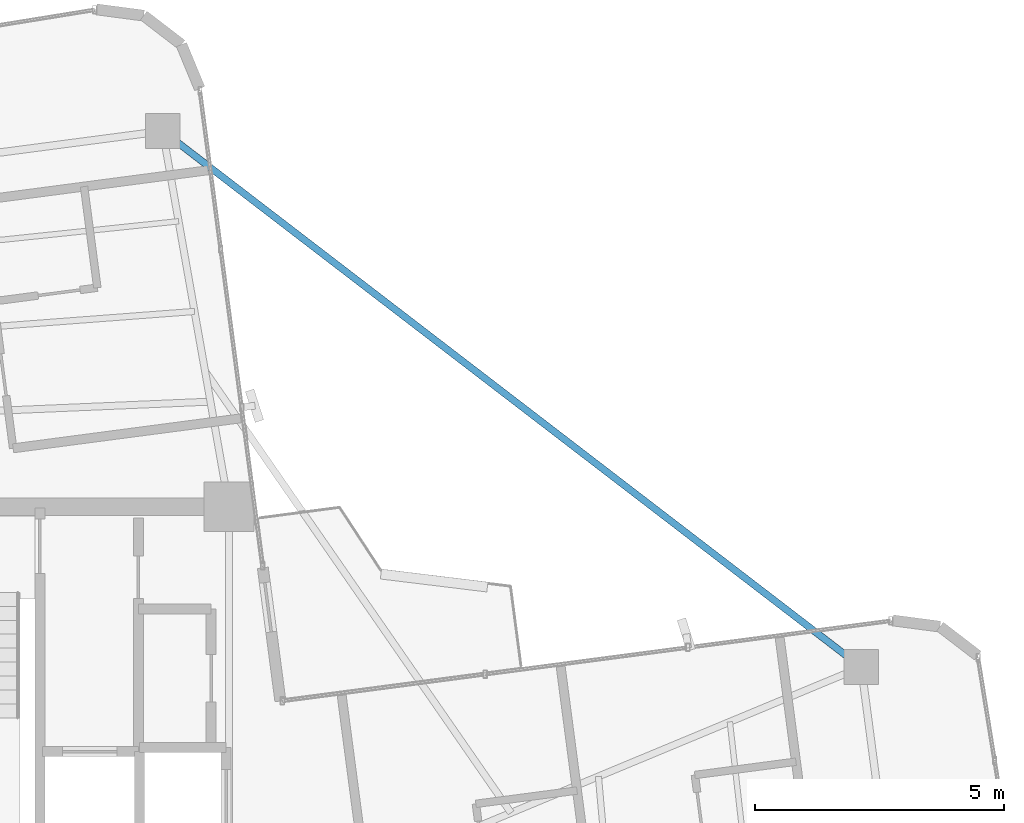
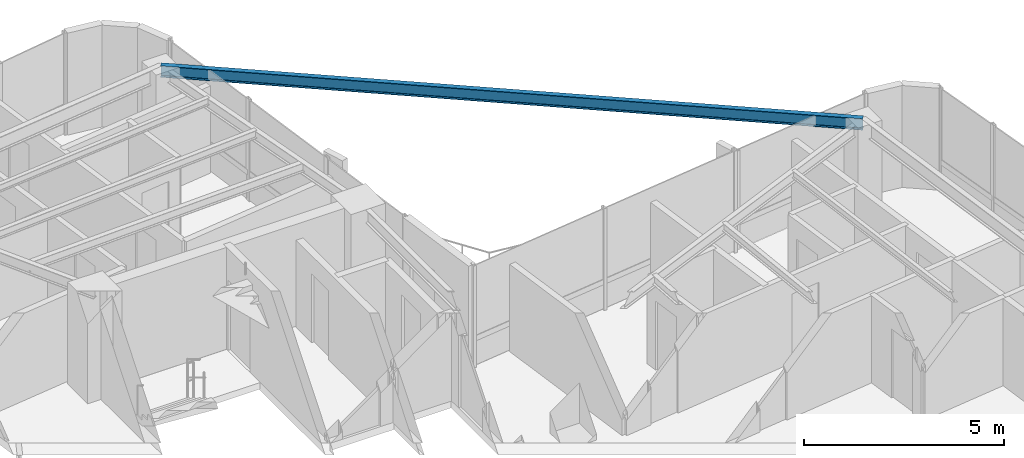
# One storey, part 15 of 22: 1 beam.
"""IFC4 building model written with IfcOpenShell, lengths in metres."""

import ifcopenshell
import ifcopenshell.guid

model = None  # the IFC model being written
_history = None  # IfcOwnerHistory: only IFC2X3 demands one
_inside = {}  # id of a spatial element -> (the spatial element, [elements in it])
_under = {}  # id of a project, library or spatial element -> (it, [spatial elements below it])
_declared = {}  # id of a project -> (the project, [libraries it declares])
_typed = {}  # id of a type object -> (the type object, [elements of that type])
_made_of = {}  # id of a material, layer set ... -> (it, [elements and type objects made of it])


def new_model(schema):
    """Start an empty IFC model of exactly this schema.

    Asked for "IFC4X3", IfcOpenShell would pick the latest addendum, in which some entities
    have other attributes; the version numbers below select the first issue.
    IFC2X3 requires an IfcOwnerHistory on every rooted entity: one is made here for all.
    """
    global model, _history
    if schema == "IFC4X3":
        model = ifcopenshell.file(schema_version=(4, 3, 0, 0))
    else:
        model = ifcopenshell.file(schema=schema)
    _inside.clear()
    _under.clear()
    _declared.clear()
    _typed.clear()
    _made_of.clear()
    _history = None
    if model.schema == "IFC2X3":
        org = make("IfcOrganization", Name="unknown")
        user = make(
            "IfcPersonAndOrganization",
            ThePerson=make("IfcPerson", FamilyName="unknown"),
            TheOrganization=org,
        )
        app = make(
            "IfcApplication",
            ApplicationDeveloper=org,
            Version="unknown",
            ApplicationFullName="unknown",
            ApplicationIdentifier="unknown",
        )
        _history = make(
            "IfcOwnerHistory",
            OwningUser=user,
            OwningApplication=app,
            ChangeAction="ADDED",
            CreationDate=0,
        )
    return model


def make(cls, **values):
    """One entity of the class cls with the attributes given. An attribute that is None is left unset."""
    return model.create_entity(
        cls, **{name: value for name, value in values.items() if value is not None}
    )


def rooted(cls, **values):
    """An entity with a GlobalId (a new one), such as an element, a storey or a relation."""
    return make(cls, GlobalId=ifcopenshell.guid.new(), OwnerHistory=_history, **values)


def si_unit(unit_type, name, prefix=None):
    """IfcSIUnit, for example si_unit("LENGTHUNIT", "METRE", prefix="MILLI")."""
    return make("IfcSIUnit", UnitType=unit_type, Prefix=prefix, Name=name)


def assignment(units):
    """IfcUnitAssignment: the units of a project."""
    return None if units is None else make("IfcUnitAssignment", Units=units)


def point(xyz):
    """IfcCartesianPoint."""
    return None if xyz is None else make("IfcCartesianPoint", Coordinates=xyz)


def direction(xyz):
    """IfcDirection."""
    return None if xyz is None else make("IfcDirection", DirectionRatios=xyz)


def frame(location, z_axis=None, x_axis=None):
    """IfcAxis2Placement3D, a coordinate frame: its origin and axes. An axis left out is left unset."""
    return make(
        "IfcAxis2Placement3D",
        Location=point(location),
        Axis=direction(z_axis),
        RefDirection=direction(x_axis),
    )


def frame_2d(location, x_axis=None):
    """IfcAxis2Placement2D, a coordinate frame in the plane: its origin and x axis."""
    return make(
        "IfcAxis2Placement2D", Location=point(location), RefDirection=direction(x_axis)
    )


def origin():
    """The frame at (0, 0, 0) with its axes left unset."""
    return frame((0.0, 0.0, 0.0))


def origin_2d():
    """The frame at (0, 0) in the plane with its x axis left unset."""
    return frame_2d((0.0, 0.0))


def place(relative_to, where):
    """IfcLocalPlacement: puts the frame where relative to a parent placement (None: the world)."""
    return make(
        "IfcLocalPlacement", PlacementRelTo=relative_to, RelativePlacement=where
    )


def context(
    kind, dimensions, precision=None, world=None, true_north=None, identifier=None
):
    """IfcGeometricRepresentationContext, for example the 3D "Model" context."""
    return make(
        "IfcGeometricRepresentationContext",
        ContextIdentifier=identifier,
        ContextType=kind,
        CoordinateSpaceDimension=dimensions,
        Precision=precision,
        WorldCoordinateSystem=world,
        TrueNorth=true_north,
    )


def subcontext(parent, identifier, kind, view, scale=None):
    """IfcGeometricRepresentationSubContext, for example "Body" below "Model"."""
    return make(
        "IfcGeometricRepresentationSubContext",
        ContextIdentifier=identifier,
        ContextType=kind,
        ParentContext=parent,
        TargetScale=scale,
        TargetView=view,
    )


def project(units=None, contexts=None):
    """IfcProject with its units and contexts."""
    return rooted(
        "IfcProject",
        Name="project",
        RepresentationContexts=contexts,
        UnitsInContext=assignment(units),
    )


def spatial(cls, under=None, at=None, **own):
    """A site, building, storey or space (cls), placed at a placement, below another one or the project."""
    s = rooted(cls, ObjectPlacement=at, **own)
    if under is not None:
        _under.setdefault(under.id(), (under, []))[1].append(s)
    return s


def profile(cls, at=None, kind="AREA", **sizes):
    """A parametric profile (cls). Its sizes go by their IFC names, for example OverallWidth=200.0."""
    return make(cls, ProfileType=kind, Position=at, **sizes)


def i_section(**sizes):
    """IfcIShapeProfileDef."""
    return profile("IfcIShapeProfileDef", **sizes)


def extrude(swept, where, along, depth):
    """IfcExtrudedAreaSolid: the profile swept, set in the frame where, extruded along a direction by depth."""
    return make(
        "IfcExtrudedAreaSolid",
        SweptArea=swept,
        Position=where,
        ExtrudedDirection=direction(along),
        Depth=depth,
    )


def shape(context_of_items, identifier, shape_type, items):
    """IfcShapeRepresentation: the items that make up one representation, for example the "Body"."""
    return make(
        "IfcShapeRepresentation",
        ContextOfItems=context_of_items,
        RepresentationIdentifier=identifier,
        RepresentationType=shape_type,
        Items=items,
    )


def source(mapping_origin, context_of_items, identifier, shape_type, items):
    """IfcRepresentationMap: a shape defined once, which mapped items show again and again."""
    return make(
        "IfcRepresentationMap",
        MappingOrigin=mapping_origin,
        MappedRepresentation=shape(context_of_items, identifier, shape_type, items),
    )


def transform(
    local_origin,
    x_axis=None,
    y_axis=None,
    z_axis=None,
    scale=None,
    scale2=None,
    scale3=None,
    uniform=True,
):
    """IfcCartesianTransformationOperator3D, or its non-uniform kind. x_axis, y_axis, z_axis: its Axis1, 2, 3."""
    if uniform:
        return make(
            "IfcCartesianTransformationOperator3D",
            Axis1=direction(x_axis),
            Axis2=direction(y_axis),
            LocalOrigin=point(local_origin),
            Scale=scale,
            Axis3=direction(z_axis),
        )
    return make(
        "IfcCartesianTransformationOperator3DnonUniform",
        Axis1=direction(x_axis),
        Axis2=direction(y_axis),
        LocalOrigin=point(local_origin),
        Scale=scale,
        Axis3=direction(z_axis),
        Scale2=scale2,
        Scale3=scale3,
    )


def mapped(mapping_source, mapping_target):
    """IfcMappedItem: shows the shape of a source again, moved by a transform."""
    return make(
        "IfcMappedItem", MappingSource=mapping_source, MappingTarget=mapping_target
    )


def material(Name=None, Category=None):
    """IfcMaterial."""
    return make("IfcMaterial", Name=Name, Category=Category)


def material_profile(
    of_material, cross_section, Name=None, Category=None, Priority=None
):
    """IfcMaterialProfile: a cross section and its material."""
    return make(
        "IfcMaterialProfile",
        Name=Name,
        Material=of_material,
        Profile=cross_section,
        Priority=Priority,
        Category=Category,
    )


def profile_set(profiles, Name=None, composite=None):
    """IfcMaterialProfileSet."""
    return make(
        "IfcMaterialProfileSet",
        Name=Name,
        MaterialProfiles=profiles,
        CompositeProfile=composite,
    )


def made_of(thing, what):
    """Note that an element or type object is made of a material, layer set ...; save() writes the relation."""
    if what is not None:
        _made_of.setdefault(what.id(), (what, []))[1].append(thing)
    return thing


def type_object(cls, material=None, **own):
    """A type object (cls), such as IfcWallType, which elements share."""
    return made_of(rooted(cls, **own), material)


def element(
    cls,
    number,
    at=None,
    inside=None,
    cuts=None,
    type_object=None,
    material=None,
    context=None,
    identifier="Body",
    shape_type=None,
    held_by="IfcProductDefinitionShape",
    body=None,
    shapes=None,
    **own,
):
    """One element of the class cls, such as IfcWall. Its Tag is "e" and its number.

    at: its placement. inside: the storey or other place that contains it. cuts: it is an
    opening in that element (IfcRelVoidsElement). A single representation is given by context,
    identifier, shape_type and body (its items); several are given by shapes. held_by: the class
    of the entity that holds the representations. save() writes the other relations.
    """
    e = rooted(cls, Tag="e%d" % number, ObjectPlacement=at, **own)
    if body is not None:
        shapes = [shape(context, identifier, shape_type, body)]
    if shapes is not None:
        e.Representation = make(held_by, Representations=shapes)
    if inside is not None:
        _inside.setdefault(inside.id(), (inside, []))[1].append(e)
    if cuts is not None:
        rooted(
            "IfcRelVoidsElement", RelatingBuildingElement=cuts, RelatedOpeningElement=e
        )
    if type_object is not None:
        _typed.setdefault(type_object.id(), (type_object, []))[1].append(e)
    return made_of(e, material)


def aggregate(whole, parts):
    """IfcRelAggregates: a whole, such as a stair, and the parts it consists of."""
    return rooted("IfcRelAggregates", RelatingObject=whole, RelatedObjects=parts)


def save(model, path):
    """Write the relations noted so far, then the file.

    IfcRelAggregates (storeys below a building ...), IfcRelContainedInSpatialStructure (elements
    in a storey), IfcRelDefinesByType, IfcRelAssociatesMaterial and IfcRelDeclares: one each for
    every whole, place, type object, material and project.
    """
    for whole, parts in _under.values():
        aggregate(whole, parts)
    for where, things in _inside.values():
        rooted(
            "IfcRelContainedInSpatialStructure",
            RelatedElements=things,
            RelatingStructure=where,
        )
    for kind, things in _typed.values():
        rooted("IfcRelDefinesByType", RelatedObjects=things, RelatingType=kind)
    for what, things in _made_of.values():
        rooted("IfcRelAssociatesMaterial", RelatedObjects=things, RelatingMaterial=what)
    for by, libraries in _declared.values():
        rooted("IfcRelDeclares", RelatingContext=by, RelatedDefinitions=libraries)
    model.write(path)


model = new_model("IFC4")

# Units and contexts
model_context = context("Model", 3, precision=1e-05, world=origin(), true_north=direction((0.0, 1.0)))
body_context = subcontext(model_context, "Body", "Model", "MODEL_VIEW")
ifc_project = project(units=[si_unit("LENGTHUNIT", "METRE"), si_unit("AREAUNIT", "SQUARE_METRE"), si_unit("VOLUMEUNIT", "CUBIC_METRE"), si_unit("PLANEANGLEUNIT", "RADIAN"), si_unit("MASSUNIT", "GRAM", prefix="KILO")], contexts=[model_context])

# Site, building, storey
site_placement = place(None, origin())
site = spatial("IfcSite", under=ifc_project, at=site_placement, CompositionType="ELEMENT")
building_placement = place(site_placement, origin())
building = spatial("IfcBuilding", under=site, at=building_placement, Name="Sahyath Konkavel Grand Hotel", CompositionType="ELEMENT")
storey_placement = place(building_placement, frame((0.0, 0.0, 247.85009765625)))
storey = spatial("IfcBuildingStorey", under=building, at=storey_placement, Name="L69", CompositionType="ELEMENT", Elevation=247.85009765625)

# Beam
ifc_material = material(Name="Steel E350", Category="steel")
ifc_material_profile = material_profile(ifc_material, i_section(OverallWidth=0.139892578125, OverallDepth=0.35009765625, WebThickness=0.008056640625, FlangeThickness=0.01416015625, FilletRadius=0.013916015625, at=origin_2d()), Name="ISMB 350")
ifc_profile_set = profile_set([ifc_material_profile], Name="Steel E350")
beam_type = type_object("IfcBeamType", Name="BM-ISMB350", PredefinedType="BEAM", material=ifc_profile_set)
shared_shape = source(origin(), body_context, "Body", "SweptSolid", [
    extrude(i_section(OverallWidth=0.139892578125, OverallDepth=0.35009765625, WebThickness=0.008056640625, FlangeThickness=0.01416015625, FilletRadius=0.013916015625, at=origin_2d()), origin(), (0.0, 0.0, 1.0), 17.70166015625),
])
beam_placement = place(storey_placement, frame((16.510498046875, 6.977783203125, 2.934814453125), z_axis=(-0.793353009437, 0.608761860187, 0.0), x_axis=(-0.608761860187, -0.793353009437, 0.0)))
element("IfcBeam", 1, at=beam_placement, inside=storey, type_object=beam_type, Name="L69 Re-Entrant Tie Beam NE", PredefinedType="BEAM", context=body_context, shape_type="MappedRepresentation", body=[
    mapped(shared_shape, transform((0.0, 0.0, 0.0), scale=1.0)),
])

save(model, "model.ifc")
